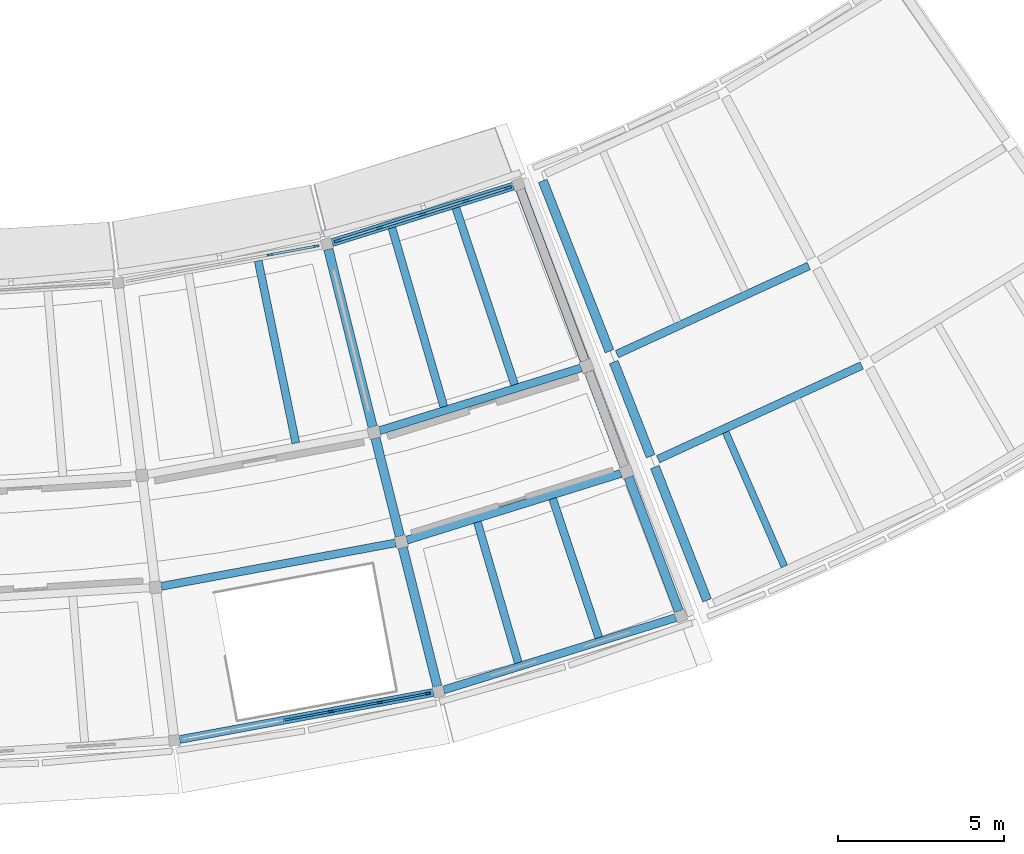
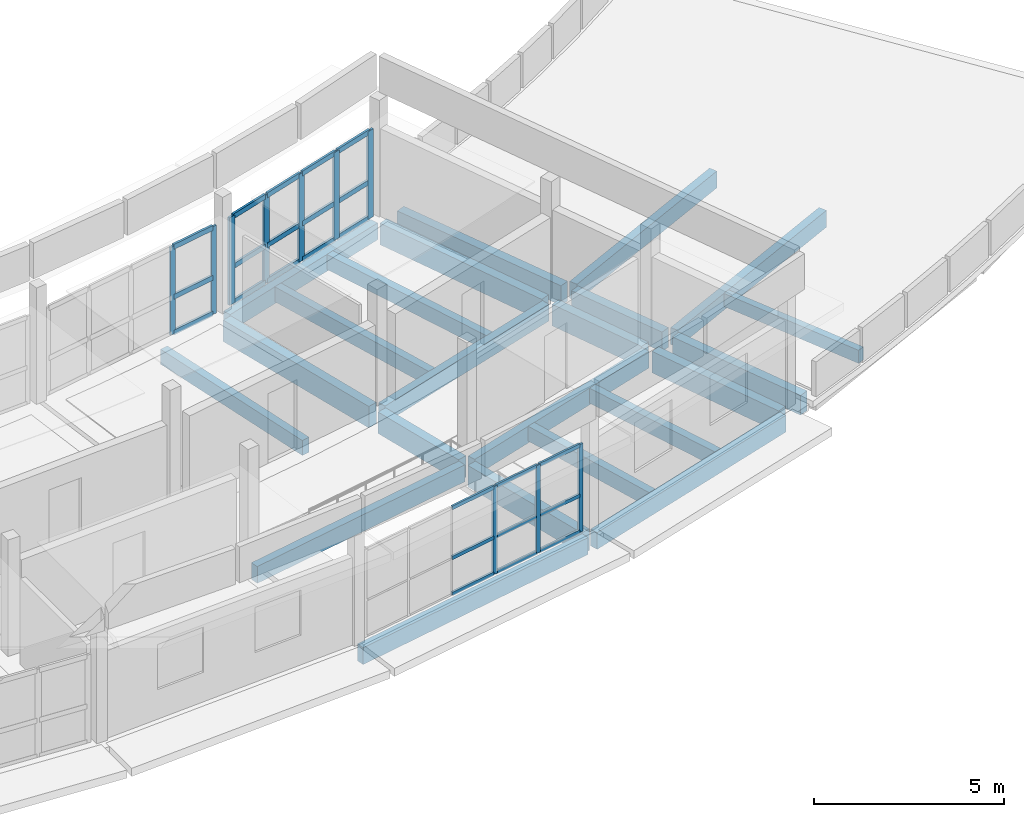
# One storey, part 6 of 12: 34 members, 23 beams, 3 elements without a shape of their own.
"""IFC4 building model written with IfcOpenShell, lengths in metres."""

from ifc_helpers import new_model, si_unit, direction, frame, origin, origin_2d, place, context, subcontext, project, spatial, rectangle, extrude, material, layer, layer_set, material_profile, profile_set, type_object, element, aggregate, save


model = new_model("IFC4")

# Units and contexts
model_context = context("Model", 3, precision=1e-05, world=origin(), true_north=direction((0.0, 1.0)))
body_context = subcontext(model_context, "Body", "Model", "MODEL_VIEW")
ifc_project = project(units=[si_unit("LENGTHUNIT", "METRE"), si_unit("AREAUNIT", "SQUARE_METRE"), si_unit("VOLUMEUNIT", "CUBIC_METRE"), si_unit("PLANEANGLEUNIT", "RADIAN"), si_unit("MASSUNIT", "GRAM", prefix="KILO")], contexts=[model_context])

# Site, building, storey
site_placement = place(None, origin())
site = spatial("IfcSite", under=ifc_project, at=site_placement, CompositionType="ELEMENT")
building_placement = place(site_placement, origin())
building = spatial("IfcBuilding", under=site, at=building_placement, Name="Caldaven Crescent School", CompositionType="ELEMENT")
storey_placement = place(building_placement, frame((0.0, 0.0, 19.3798828125)))
storey = spatial("IfcBuildingStorey", under=building, at=storey_placement, Name="L05", CompositionType="ELEMENT", Elevation=19.3798828125)

# Beams
ifc_material_1 = material(Name="Glulam MLE24h (GL28h)", Category="wood")
ifc_material_profile_1 = material_profile(ifc_material_1, rectangle(XDim=0.239990234375, YDim=0.5400390625, at=origin_2d()), Name="MLE 240x540")
ifc_profile_set_1 = profile_set([ifc_material_profile_1], Name="Glulam MLE24h (GL28h)")
beam_type_1 = type_object("IfcBeamType", Name="BM-GL54", PredefinedType="BEAM", material=ifc_profile_set_1)
beam_1_placement = place(storey_placement, frame((95.69140625, 34.791748046875, -0.47998046875), z_axis=(0.983254046245, 0.182240172692, 0.0), x_axis=(-0.182240172692, 0.983254046245, 0.0)))
element("IfcBeam", 1, at=beam_1_placement, inside=storey, type_object=beam_type_1, Name="BMT-V5-L05-1732", PredefinedType="BEAM", context=body_context, shape_type="SweptSolid", body=[
    extrude(rectangle(XDim=0.239990234375, YDim=0.5400390625, at=origin_2d()), origin(), (0.0, 0.0, 1.0), 7.183349609375),
])
beam_2_placement = place(storey_placement, frame((102.271240234375, 39.48388671875, -0.47998046875), z_axis=(0.954747711713, 0.297416890878, 0.0), x_axis=(-0.297416890878, 0.954747711713, 0.0)))
element("IfcBeam", 2, at=beam_2_placement, inside=storey, type_object=beam_type_1, Name="BMT-V5-L05-1737", PredefinedType="BEAM", context=body_context, shape_type="SweptSolid", body=[
    extrude(rectangle(XDim=0.239990234375, YDim=0.5400390625, at=origin_2d()), origin(), (0.0, 0.0, 1.0), 6.367431640625),
])
beam_3_placement = place(storey_placement, frame((103.09375, 36.184814453125, -0.47998046875), z_axis=(0.954750161187, 0.297409027625, 0.0), x_axis=(-0.297409027625, 0.954750161187, 0.0)))
element("IfcBeam", 3, at=beam_3_placement, inside=storey, type_object=beam_type_1, Name="BMT-V5-L05-1738", PredefinedType="BEAM", context=body_context, shape_type="SweptSolid", body=[
    extrude(rectangle(XDim=0.239990234375, YDim=0.5400390625, at=origin_2d()), origin(), (0.0, 0.0, 1.0), 6.75927734375),
])
beam_4_placement = place(storey_placement, frame((109.426025390625, 41.79052734375, -0.47998046875), z_axis=(0.908536446659, 0.417805606822, 0.0), x_axis=(-0.417805606822, 0.908536446659, 0.0)))
element("IfcBeam", 4, at=beam_4_placement, inside=storey, type_object=beam_type_1, Name="BMT-V4E-L05-1754", PredefinedType="BEAM", context=body_context, shape_type="SweptSolid", body=[
    extrude(rectangle(XDim=0.239990234375, YDim=0.5400390625, at=origin_2d()), origin(), (0.0, 0.0, 1.0), 6.36767578125),
])
beam_5_placement = place(storey_placement, frame((110.666259765625, 38.624755859375, -0.47998046875), z_axis=(0.908529393476, 0.417820943935, 0.0), x_axis=(-0.417820943935, 0.908529393476, 0.0)))
element("IfcBeam", 5, at=beam_5_placement, inside=storey, type_object=beam_type_1, Name="BMT-V4E-L05-1755", PredefinedType="BEAM", context=body_context, shape_type="SweptSolid", body=[
    extrude(rectangle(XDim=0.239990234375, YDim=0.5400390625, at=origin_2d()), origin(), (0.0, 0.0, 1.0), 6.759521484375),
])
ifc_material_profile_2 = material_profile(ifc_material_1, rectangle(XDim=0.280029296875, YDim=0.6298828125, at=origin_2d()), Name="MLE 280x630")
ifc_profile_set_2 = profile_set([ifc_material_profile_2], Name="Glulam MLE24h (GL28h)")
beam_type_2 = type_object("IfcBeamType", Name="BM-GL63", PredefinedType="BEAM", material=ifc_profile_set_2)
beam_6_placement = place(storey_placement, frame((107.19140625, 47.015380859375, -0.52490234375), z_axis=(0.364809913992, -0.931082019294, 0.0), x_axis=(0.931082019294, 0.364809913992, 0.0)))
element("IfcBeam", 6, at=beam_6_placement, inside=storey, type_object=beam_type_2, Name="BMR-V4E-L05-1744", PredefinedType="BEAM", context=body_context, shape_type="SweptSolid", body=[
    extrude(rectangle(XDim=0.280029296875, YDim=0.6298828125, at=origin_2d()), origin(), (0.0, 0.0, 1.0), 5.51513671875),
])
beam_7_placement = place(storey_placement, frame((109.3310546875, 41.554443359375, -0.52490234375), z_axis=(0.364770550299, -0.931097441536, 0.0), x_axis=(0.931097441536, 0.364770550299, 0.0)))
element("IfcBeam", 7, at=beam_7_placement, inside=storey, type_object=beam_type_2, Name="BMR-V4E-L05-1745", PredefinedType="BEAM", context=body_context, shape_type="SweptSolid", body=[
    extrude(rectangle(XDim=0.280029296875, YDim=0.6298828125, at=origin_2d()), origin(), (0.0, 0.0, 1.0), 3.050048828125),
])
beam_8_placement = place(storey_placement, frame((110.5712890625, 38.388671875, -0.52490234375), z_axis=(0.364776926423, -0.931094943574, 0.0), x_axis=(0.931094943574, 0.364776926423, 0.0)))
element("IfcBeam", 8, at=beam_8_placement, inside=storey, type_object=beam_type_2, Name="BMR-V4E-L05-1746", PredefinedType="BEAM", context=body_context, shape_type="SweptSolid", body=[
    extrude(rectangle(XDim=0.280029296875, YDim=0.6298828125, at=origin_2d()), origin(), (0.0, 0.0, 1.0), 4.31494140625),
])
ifc_material_profile_3 = material_profile(ifc_material_1, rectangle(XDim=0.280029296875, YDim=0.68994140625, at=origin_2d()), Name="MLE 280x690")
ifc_profile_set_3 = profile_set([ifc_material_profile_3], Name="Glulam MLE24h (GL28h)")
beam_type_3 = type_object("IfcBeamType", Name="BM-GL69", PredefinedType="BEAM", material=ifc_profile_set_3)
beam_9_placement = place(storey_placement, frame((100.7275390625, 44.95263671875, -0.554931640625), z_axis=(0.241931432995, -0.970293348286, 0.0), x_axis=(0.970293348286, 0.241931432995, 0.0)))
element("IfcBeam", 9, at=beam_9_placement, inside=storey, type_object=beam_type_3, Name="BMR-V5-L05-1696", PredefinedType="BEAM", context=body_context, shape_type="SweptSolid", body=[
    extrude(rectangle(XDim=0.280029296875, YDim=0.68994140625, at=origin_2d()), origin(), (0.0, 0.0, 1.0), 5.514892578125),
])
beam_10_placement = place(storey_placement, frame((102.146484375, 39.261962890625, -0.554931640625), z_axis=(0.241895214255, -0.970302378293, 0.0), x_axis=(0.970302378293, 0.241895214255, 0.0)))
element("IfcBeam", 10, at=beam_10_placement, inside=storey, type_object=beam_type_3, Name="BMR-V5-L05-1697", PredefinedType="BEAM", context=body_context, shape_type="SweptSolid", body=[
    extrude(rectangle(XDim=0.280029296875, YDim=0.68994140625, at=origin_2d()), origin(), (0.0, 0.0, 1.0), 3.050048828125),
])
beam_11_placement = place(storey_placement, frame((102.968994140625, 35.962890625, -0.554931640625), z_axis=(0.241883226039, -0.970305366862, 0.0), x_axis=(0.970305366862, 0.241883226039, 0.0)))
element("IfcBeam", 11, at=beam_11_placement, inside=storey, type_object=beam_type_3, Name="BMR-V5-L05-1698", PredefinedType="BEAM", context=body_context, shape_type="SweptSolid", body=[
    extrude(rectangle(XDim=0.280029296875, YDim=0.68994140625, at=origin_2d()), origin(), (0.0, 0.0, 1.0), 4.31494140625),
])
beam_12_placement = place(storey_placement, frame((106.51513671875, 46.755615234375, -0.554931640625), z_axis=(0.351938342826, -0.936023184995, 0.0), x_axis=(0.936023184995, 0.351938342826, 0.0)))
element("IfcBeam", 12, at=beam_12_placement, inside=storey, type_object=beam_type_3, Name="BMR-V5-L05-1699", PredefinedType="BEAM", context=body_context, shape_type="SweptSolid", body=[
    extrude(rectangle(XDim=0.280029296875, YDim=0.68994140625, at=origin_2d()), origin(), (0.0, 0.0, 1.0), 5.514892578125),
])
beam_13_placement = place(storey_placement, frame((108.5791015625, 41.265869140625, -0.554931640625), z_axis=(0.351974225459, -0.936009692585, 0.0), x_axis=(0.936009692585, 0.351974225459, 0.0)))
element("IfcBeam", 13, at=beam_13_placement, inside=storey, type_object=beam_type_3, Name="BMR-V5-L05-1700", PredefinedType="BEAM", context=body_context, shape_type="SweptSolid", body=[
    extrude(rectangle(XDim=0.280029296875, YDim=0.68994140625, at=origin_2d()), origin(), (0.0, 0.0, 1.0), 3.0498046875),
])
beam_14_placement = place(storey_placement, frame((109.77587890625, 38.08349609375, -0.554931640625), z_axis=(0.351916961601, -0.936031223912, 0.0), x_axis=(0.936031223912, 0.351916961601, 0.0)))
element("IfcBeam", 14, at=beam_14_placement, inside=storey, type_object=beam_type_3, Name="BMR-V5-L05-1701", PredefinedType="BEAM", context=body_context, shape_type="SweptSolid", body=[
    extrude(rectangle(XDim=0.280029296875, YDim=0.68994140625, at=origin_2d()), origin(), (0.0, 0.0, 1.0), 4.315185546875),
])

# Curtain wall, members
ifc_material_2 = material(Name="Anodised aluminium AA 6063-T6 and low-E double glazing", Category="aluminium")
ifc_layer_1 = layer(ifc_material_2, 0.169921875)
ifc_layer_set_1 = layer_set([ifc_layer_1], Name="Anodised aluminium AA 6063-T6 and low-E double glazing")
curtain_wall_type_1 = type_object("IfcCurtainWallType", Name="CW-SYS1", PredefinedType="NOTDEFINED", material=ifc_layer_set_1)
curtain_wall_1_placement = place(storey_placement, origin())
curtain_wall_1 = element("IfcCurtainWall", 15, at=curtain_wall_1_placement, inside=storey, type_object=curtain_wall_type_1, Name="CW-L05-186", PredefinedType="NOTDEFINED")
ifc_material_3 = material(Name="Anodised aluminium AA 6063-T6", Category="aluminium")
ifc_material_profile_4 = material_profile(ifc_material_3, rectangle(XDim=0.06005859375, YDim=0.14990234375, at=origin_2d()), Name="CWM 60x150")
ifc_profile_set_4 = profile_set([ifc_material_profile_4], Name="Anodised aluminium AA 6063-T6")
member_type_1 = type_object("IfcMemberType", Name="CWM-T1", PredefinedType="MULLION", material=ifc_profile_set_4)
member_1_placement = place(storey_placement, frame((100.806396484375, 31.01953125, 0.0), z_axis=(0.0, 0.0, 1.0), x_axis=(-0.182236339268, 0.983254756739, 0.0)))
member_1 = element("IfcMember", 16, at=member_1_placement, type_object=member_type_1, Name="CW1 mullion 4", PredefinedType="MULLION", context=body_context, shape_type="SweptSolid", body=[
    extrude(rectangle(XDim=0.06005859375, YDim=0.14990234375, at=origin_2d()), origin(), (0.0, 0.0, 1.0), 2.820068359375),
])
member_2_placement = place(storey_placement, frame((102.281494140625, 31.292724609375, 0.0), z_axis=(0.0, 0.0, 1.0), x_axis=(-0.182236339268, 0.983254756739, 0.0)))
member_2 = element("IfcMember", 17, at=member_2_placement, type_object=member_type_1, Name="CW1 mullion 5", PredefinedType="MULLION", context=body_context, shape_type="SweptSolid", body=[
    extrude(rectangle(XDim=0.06005859375, YDim=0.14990234375, at=origin_2d()), origin(), (0.0, 0.0, 1.0), 2.820068359375),
])
member_3_placement = place(storey_placement, frame((103.72705078125, 31.560791015625, 0.0), z_axis=(0.0, 0.0, 1.0), x_axis=(-0.182236339268, 0.983254756739, 0.0)))
member_3 = element("IfcMember", 18, at=member_3_placement, type_object=member_type_1, Name="CW1 mullion 6", PredefinedType="MULLION", context=body_context, shape_type="SweptSolid", body=[
    extrude(rectangle(XDim=0.06005859375, YDim=0.14990234375, at=origin_2d()), origin(), (0.0, 0.0, 1.0), 2.820068359375),
])

ifc_layer_2 = layer(ifc_material_2, 0.2099609375)
ifc_layer_set_2 = layer_set([ifc_layer_2], Name="Anodised aluminium AA 6063-T6 and low-E double glazing")
curtain_wall_type_2 = type_object("IfcCurtainWallType", Name="CW-SYS3", PredefinedType="NOTDEFINED", material=ifc_layer_set_2)
curtain_wall_2_placement = place(storey_placement, origin())
curtain_wall_2 = element("IfcCurtainWall", 19, at=curtain_wall_2_placement, inside=storey, type_object=curtain_wall_type_2, Name="CW-L05-185", PredefinedType="NOTDEFINED")
ifc_material_profile_5 = material_profile(ifc_material_3, rectangle(XDim=0.06494140625, YDim=0.179931640625, at=origin_2d()), Name="CWM 65x180")
ifc_profile_set_5 = profile_set([ifc_material_profile_5], Name="Anodised aluminium AA 6063-T6")
member_type_2 = type_object("IfcMemberType", Name="CWM-T2", PredefinedType="MULLION", material=ifc_profile_set_5)
member_4_placement = place(storey_placement, frame((98.967041015625, 44.788818359375, 0.0), z_axis=(0.0, 0.0, 1.0), x_axis=(-0.182236405836, 0.983254744401, 0.0)))
member_4 = element("IfcMember", 20, at=member_4_placement, type_object=member_type_2, Name="CW3 mullion 4", PredefinedType="MULLION", context=body_context, shape_type="SweptSolid", body=[
    extrude(rectangle(XDim=0.06494140625, YDim=0.179931640625, at=origin_2d()), origin(), (0.0, 0.0, 1.0), 2.820068359375),
])
member_5_placement = place(storey_placement, frame((100.36181640625, 45.04736328125, 0.0), z_axis=(0.0, 0.0, 1.0), x_axis=(-0.182236405836, 0.983254744401, 0.0)))
member_5 = element("IfcMember", 21, at=member_5_placement, type_object=member_type_2, Name="CW3 mullion 5", PredefinedType="MULLION", context=body_context, shape_type="SweptSolid", body=[
    extrude(rectangle(XDim=0.06494140625, YDim=0.179931640625, at=origin_2d()), origin(), (0.0, 0.0, 1.0), 2.820068359375),
])

ifc_layer_3 = layer(ifc_material_2, 0.22998046875)
ifc_layer_set_3 = layer_set([ifc_layer_3], Name="Anodised aluminium AA 6063-T6 and low-E double glazing")
curtain_wall_type_3 = type_object("IfcCurtainWallType", Name="CW-SYS4", PredefinedType="NOTDEFINED", material=ifc_layer_set_3)
curtain_wall_3_placement = place(storey_placement, origin())
curtain_wall_3 = element("IfcCurtainWall", 22, at=curtain_wall_3_placement, inside=storey, type_object=curtain_wall_type_3, Name="CW-L05-187", PredefinedType="NOTDEFINED")
ifc_material_profile_6 = material_profile(ifc_material_3, rectangle(XDim=0.070068359375, YDim=0.2099609375, at=origin_2d()), Name="CWM 70x210")
ifc_profile_set_6 = profile_set([ifc_material_profile_6], Name="Anodised aluminium AA 6063-T6")
member_type_3 = type_object("IfcMemberType", Name="CWM-T3", PredefinedType="MULLION", material=ifc_profile_set_6)
member_6_placement = place(storey_placement, frame((101.008544921875, 45.20751953125, 0.0), z_axis=(0.0, 0.0, 1.0), x_axis=(-0.297419758694, 0.954746818344, 0.0)))
member_6 = element("IfcMember", 23, at=member_6_placement, type_object=member_type_3, Name="CW4 mullion 1", PredefinedType="MULLION", context=body_context, shape_type="SweptSolid", body=[
    extrude(rectangle(XDim=0.070068359375, YDim=0.2099609375, at=origin_2d()), origin(), (0.0, 0.0, 1.0), 2.820068359375),
])
member_7_placement = place(storey_placement, frame((102.2744140625, 45.60205078125, 0.0), z_axis=(0.0, 0.0, 1.0), x_axis=(-0.297419758694, 0.954746818344, 0.0)))
member_7 = element("IfcMember", 24, at=member_7_placement, type_object=member_type_3, Name="CW4 mullion 2", PredefinedType="MULLION", context=body_context, shape_type="SweptSolid", body=[
    extrude(rectangle(XDim=0.070068359375, YDim=0.2099609375, at=origin_2d()), origin(), (0.0, 0.0, 1.0), 2.820068359375),
])
member_8_placement = place(storey_placement, frame((103.57373046875, 46.0068359375, 0.0), z_axis=(0.0, 0.0, 1.0), x_axis=(-0.297419758694, 0.954746818344, 0.0)))
member_8 = element("IfcMember", 25, at=member_8_placement, type_object=member_type_3, Name="CW4 mullion 3", PredefinedType="MULLION", context=body_context, shape_type="SweptSolid", body=[
    extrude(rectangle(XDim=0.070068359375, YDim=0.2099609375, at=origin_2d()), origin(), (0.0, 0.0, 1.0), 2.820068359375),
])
member_9_placement = place(storey_placement, frame((104.873046875, 46.411376953125, 0.0), z_axis=(0.0, 0.0, 1.0), x_axis=(-0.297419758694, 0.954746818344, 0.0)))
member_9 = element("IfcMember", 26, at=member_9_placement, type_object=member_type_3, Name="CW4 mullion 4", PredefinedType="MULLION", context=body_context, shape_type="SweptSolid", body=[
    extrude(rectangle(XDim=0.070068359375, YDim=0.2099609375, at=origin_2d()), origin(), (0.0, 0.0, 1.0), 2.820068359375),
])
member_10_placement = place(storey_placement, frame((106.138916015625, 46.805908203125, 0.0), z_axis=(0.0, 0.0, 1.0), x_axis=(-0.297419758694, 0.954746818344, 0.0)))
member_10 = element("IfcMember", 27, at=member_10_placement, type_object=member_type_3, Name="CW4 mullion 5", PredefinedType="MULLION", context=body_context, shape_type="SweptSolid", body=[
    extrude(rectangle(XDim=0.070068359375, YDim=0.2099609375, at=origin_2d()), origin(), (0.0, 0.0, 1.0), 2.820068359375),
])

# Member
ifc_material_profile_7 = material_profile(ifc_material_3, rectangle(XDim=0.06005859375, YDim=0.1201171875, at=origin_2d()), Name="CWT 60x120")
ifc_profile_set_7 = profile_set([ifc_material_profile_7], Name="Anodised aluminium AA 6063-T6")
member_type_4 = type_object("IfcMemberType", Name="CWT-T1", PredefinedType="USERDEFINED", material=ifc_profile_set_7)
member_11_placement = place(storey_placement, frame((99.36083984375, 30.75146484375, 0.030029296875), z_axis=(0.983253888741, 0.182241022482, 0.0), x_axis=(-0.182241022482, 0.983253888741, 0.0)))
member_11 = element("IfcMember", 28, at=member_11_placement, type_object=member_type_4, Name="CW1 transom 3.1", ObjectType="TRANSOM", PredefinedType="USERDEFINED", context=body_context, shape_type="SweptSolid", body=[
    extrude(rectangle(XDim=0.06005859375, YDim=0.1201171875, at=origin_2d()), origin(), (0.0, 0.0, 1.0), 1.440185546875),
])

member_12_placement = place(storey_placement, frame((99.36083984375, 30.75146484375, 1.18408203125), z_axis=(0.983253888741, 0.182241022482, 0.0), x_axis=(-0.182241022482, 0.983253888741, 0.0)))
member_12 = element("IfcMember", 29, at=member_12_placement, type_object=member_type_4, Name="CW1 transom 3.2", ObjectType="TRANSOM", PredefinedType="USERDEFINED", context=body_context, shape_type="SweptSolid", body=[
    extrude(rectangle(XDim=0.06005859375, YDim=0.1201171875, at=origin_2d()), origin(), (0.0, 0.0, 1.0), 1.440185546875),
])

member_13_placement = place(storey_placement, frame((99.36083984375, 30.75146484375, 2.7900390625), z_axis=(0.983253888741, 0.182241022482, 0.0), x_axis=(-0.182241022482, 0.983253888741, 0.0)))
member_13 = element("IfcMember", 30, at=member_13_placement, type_object=member_type_4, Name="CW1 transom 3.3", ObjectType="TRANSOM", PredefinedType="USERDEFINED", context=body_context, shape_type="SweptSolid", body=[
    extrude(rectangle(XDim=0.06005859375, YDim=0.1201171875, at=origin_2d()), origin(), (0.0, 0.0, 1.0), 1.440185546875),
])

member_14_placement = place(storey_placement, frame((100.8359375, 31.02490234375, 0.030029296875), z_axis=(0.983253888741, 0.182241022482, 0.0), x_axis=(-0.182241022482, 0.983253888741, 0.0)))
member_14 = element("IfcMember", 31, at=member_14_placement, type_object=member_type_4, Name="CW1 transom 4.1", ObjectType="TRANSOM", PredefinedType="USERDEFINED", context=body_context, shape_type="SweptSolid", body=[
    extrude(rectangle(XDim=0.06005859375, YDim=0.1201171875, at=origin_2d()), origin(), (0.0, 0.0, 1.0), 1.440185546875),
])

member_15_placement = place(storey_placement, frame((100.8359375, 31.02490234375, 1.18408203125), z_axis=(0.983253888741, 0.182241022482, 0.0), x_axis=(-0.182241022482, 0.983253888741, 0.0)))
member_15 = element("IfcMember", 32, at=member_15_placement, type_object=member_type_4, Name="CW1 transom 4.2", ObjectType="TRANSOM", PredefinedType="USERDEFINED", context=body_context, shape_type="SweptSolid", body=[
    extrude(rectangle(XDim=0.06005859375, YDim=0.1201171875, at=origin_2d()), origin(), (0.0, 0.0, 1.0), 1.440185546875),
])

member_16_placement = place(storey_placement, frame((100.8359375, 31.02490234375, 2.7900390625), z_axis=(0.983253888741, 0.182241022482, 0.0), x_axis=(-0.182241022482, 0.983253888741, 0.0)))
member_16 = element("IfcMember", 33, at=member_16_placement, type_object=member_type_4, Name="CW1 transom 4.3", ObjectType="TRANSOM", PredefinedType="USERDEFINED", context=body_context, shape_type="SweptSolid", body=[
    extrude(rectangle(XDim=0.06005859375, YDim=0.1201171875, at=origin_2d()), origin(), (0.0, 0.0, 1.0), 1.440185546875),
])

member_17_placement = place(storey_placement, frame((102.31103515625, 31.29833984375, 0.030029296875), z_axis=(0.983271670011, 0.182145060196, 0.0), x_axis=(-0.182145060196, 0.983271670011, 0.0)))
member_17 = element("IfcMember", 34, at=member_17_placement, type_object=member_type_4, Name="CW1 transom 5.1", ObjectType="TRANSOM", PredefinedType="USERDEFINED", context=body_context, shape_type="SweptSolid", body=[
    extrude(rectangle(XDim=0.06005859375, YDim=0.1201171875, at=origin_2d()), origin(), (0.0, 0.0, 1.0), 1.41015625),
])

member_18_placement = place(storey_placement, frame((102.31103515625, 31.29833984375, 1.18408203125), z_axis=(0.983271670011, 0.182145060196, 0.0), x_axis=(-0.182145060196, 0.983271670011, 0.0)))
member_18 = element("IfcMember", 35, at=member_18_placement, type_object=member_type_4, Name="CW1 transom 5.2", ObjectType="TRANSOM", PredefinedType="USERDEFINED", context=body_context, shape_type="SweptSolid", body=[
    extrude(rectangle(XDim=0.06005859375, YDim=0.1201171875, at=origin_2d()), origin(), (0.0, 0.0, 1.0), 1.41015625),
])

member_19_placement = place(storey_placement, frame((102.31103515625, 31.29833984375, 2.7900390625), z_axis=(0.983271670011, 0.182145060196, 0.0), x_axis=(-0.182145060196, 0.983271670011, 0.0)))
member_19 = element("IfcMember", 36, at=member_19_placement, type_object=member_type_4, Name="CW1 transom 5.3", ObjectType="TRANSOM", PredefinedType="USERDEFINED", context=body_context, shape_type="SweptSolid", body=[
    extrude(rectangle(XDim=0.06005859375, YDim=0.1201171875, at=origin_2d()), origin(), (0.0, 0.0, 1.0), 1.41015625),
])

aggregate(curtain_wall_1, [member_1, member_2, member_3, member_11, member_12, member_13, member_14, member_15, member_16, member_17, member_18, member_19])

ifc_material_profile_8 = material_profile(ifc_material_3, rectangle(XDim=0.070068359375, YDim=0.159912109375, at=origin_2d()), Name="CWT 70x160")
ifc_profile_set_8 = profile_set([ifc_material_profile_8], Name="Anodised aluminium AA 6063-T6")
member_type_5 = type_object("IfcMemberType", Name="CWT-T3", PredefinedType="USERDEFINED", material=ifc_profile_set_8)
member_20_placement = place(storey_placement, frame((98.9990234375, 44.794921875, 0.03515625), z_axis=(0.983264057672, 0.182186149009, 0.0), x_axis=(-0.182186149009, 0.983264057672, 0.0)))
member_20 = element("IfcMember", 37, at=member_20_placement, type_object=member_type_5, Name="CW3 transom 4.1", ObjectType="TRANSOM", PredefinedType="USERDEFINED", context=body_context, shape_type="SweptSolid", body=[
    extrude(rectangle(XDim=0.070068359375, YDim=0.159912109375, at=origin_2d()), origin(), (0.0, 0.0, 1.0), 1.353515625),
])

member_21_placement = place(storey_placement, frame((98.9990234375, 44.794921875, 1.18408203125), z_axis=(0.983264057672, 0.182186149009, 0.0), x_axis=(-0.182186149009, 0.983264057672, 0.0)))
member_21 = element("IfcMember", 38, at=member_21_placement, type_object=member_type_5, Name="CW3 transom 4.2", ObjectType="TRANSOM", PredefinedType="USERDEFINED", context=body_context, shape_type="SweptSolid", body=[
    extrude(rectangle(XDim=0.070068359375, YDim=0.159912109375, at=origin_2d()), origin(), (0.0, 0.0, 1.0), 1.353515625),
])

member_22_placement = place(storey_placement, frame((98.9990234375, 44.794921875, 2.78515625), z_axis=(0.983264057672, 0.182186149009, 0.0), x_axis=(-0.182186149009, 0.983264057672, 0.0)))
member_22 = element("IfcMember", 39, at=member_22_placement, type_object=member_type_5, Name="CW3 transom 4.3", ObjectType="TRANSOM", PredefinedType="USERDEFINED", context=body_context, shape_type="SweptSolid", body=[
    extrude(rectangle(XDim=0.070068359375, YDim=0.159912109375, at=origin_2d()), origin(), (0.0, 0.0, 1.0), 1.353515625),
])

aggregate(curtain_wall_2, [member_4, member_5, member_20, member_21, member_22])

member_23_placement = place(storey_placement, frame((101.0419921875, 45.218017578125, 0.03515625), z_axis=(0.954756253786, 0.297389468301, 0.0), x_axis=(-0.297389468301, 0.954756253786, 0.0)))
member_23 = element("IfcMember", 40, at=member_23_placement, type_object=member_type_5, Name="CW4 transom 1.1", ObjectType="TRANSOM", PredefinedType="USERDEFINED", context=body_context, shape_type="SweptSolid", body=[
    extrude(rectangle(XDim=0.070068359375, YDim=0.159912109375, at=origin_2d()), origin(), (0.0, 0.0, 1.0), 1.256103515625),
])

member_24_placement = place(storey_placement, frame((101.0419921875, 45.218017578125, 1.18408203125), z_axis=(0.954756253786, 0.297389468301, 0.0), x_axis=(-0.297389468301, 0.954756253786, 0.0)))
member_24 = element("IfcMember", 41, at=member_24_placement, type_object=member_type_5, Name="CW4 transom 1.2", ObjectType="TRANSOM", PredefinedType="USERDEFINED", context=body_context, shape_type="SweptSolid", body=[
    extrude(rectangle(XDim=0.070068359375, YDim=0.159912109375, at=origin_2d()), origin(), (0.0, 0.0, 1.0), 1.256103515625),
])

member_25_placement = place(storey_placement, frame((101.0419921875, 45.218017578125, 2.78515625), z_axis=(0.954756253786, 0.297389468301, 0.0), x_axis=(-0.297389468301, 0.954756253786, 0.0)))
member_25 = element("IfcMember", 42, at=member_25_placement, type_object=member_type_5, Name="CW4 transom 1.3", ObjectType="TRANSOM", PredefinedType="USERDEFINED", context=body_context, shape_type="SweptSolid", body=[
    extrude(rectangle(XDim=0.070068359375, YDim=0.159912109375, at=origin_2d()), origin(), (0.0, 0.0, 1.0), 1.256103515625),
])

member_26_placement = place(storey_placement, frame((102.307861328125, 45.6123046875, 0.03515625), z_axis=(0.954721963294, 0.297499534125, 0.0), x_axis=(-0.297499534125, 0.954721963294, 0.0)))
member_26 = element("IfcMember", 43, at=member_26_placement, type_object=member_type_5, Name="CW4 transom 2.1", ObjectType="TRANSOM", PredefinedType="USERDEFINED", context=body_context, shape_type="SweptSolid", body=[
    extrude(rectangle(XDim=0.070068359375, YDim=0.159912109375, at=origin_2d()), origin(), (0.0, 0.0, 1.0), 1.290771484375),
])

member_27_placement = place(storey_placement, frame((102.307861328125, 45.6123046875, 1.18408203125), z_axis=(0.954721963294, 0.297499534125, 0.0), x_axis=(-0.297499534125, 0.954721963294, 0.0)))
member_27 = element("IfcMember", 44, at=member_27_placement, type_object=member_type_5, Name="CW4 transom 2.2", ObjectType="TRANSOM", PredefinedType="USERDEFINED", context=body_context, shape_type="SweptSolid", body=[
    extrude(rectangle(XDim=0.070068359375, YDim=0.159912109375, at=origin_2d()), origin(), (0.0, 0.0, 1.0), 1.290771484375),
])

member_28_placement = place(storey_placement, frame((102.307861328125, 45.6123046875, 2.78515625), z_axis=(0.954721963294, 0.297499534125, 0.0), x_axis=(-0.297499534125, 0.954721963294, 0.0)))
member_28 = element("IfcMember", 45, at=member_28_placement, type_object=member_type_5, Name="CW4 transom 2.3", ObjectType="TRANSOM", PredefinedType="USERDEFINED", context=body_context, shape_type="SweptSolid", body=[
    extrude(rectangle(XDim=0.070068359375, YDim=0.159912109375, at=origin_2d()), origin(), (0.0, 0.0, 1.0), 1.290771484375),
])

member_29_placement = place(storey_placement, frame((103.607177734375, 46.01708984375, 0.03515625), z_axis=(0.954721963294, 0.297499534125, 0.0), x_axis=(-0.297499534125, 0.954721963294, 0.0)))
member_29 = element("IfcMember", 46, at=member_29_placement, type_object=member_type_5, Name="CW4 transom 3.1", ObjectType="TRANSOM", PredefinedType="USERDEFINED", context=body_context, shape_type="SweptSolid", body=[
    extrude(rectangle(XDim=0.070068359375, YDim=0.159912109375, at=origin_2d()), origin(), (0.0, 0.0, 1.0), 1.290771484375),
])

member_30_placement = place(storey_placement, frame((103.607177734375, 46.01708984375, 1.18408203125), z_axis=(0.954721963294, 0.297499534125, 0.0), x_axis=(-0.297499534125, 0.954721963294, 0.0)))
member_30 = element("IfcMember", 47, at=member_30_placement, type_object=member_type_5, Name="CW4 transom 3.2", ObjectType="TRANSOM", PredefinedType="USERDEFINED", context=body_context, shape_type="SweptSolid", body=[
    extrude(rectangle(XDim=0.070068359375, YDim=0.159912109375, at=origin_2d()), origin(), (0.0, 0.0, 1.0), 1.290771484375),
])

member_31_placement = place(storey_placement, frame((103.607177734375, 46.01708984375, 2.78515625), z_axis=(0.954721963294, 0.297499534125, 0.0), x_axis=(-0.297499534125, 0.954721963294, 0.0)))
member_31 = element("IfcMember", 48, at=member_31_placement, type_object=member_type_5, Name="CW4 transom 3.3", ObjectType="TRANSOM", PredefinedType="USERDEFINED", context=body_context, shape_type="SweptSolid", body=[
    extrude(rectangle(XDim=0.070068359375, YDim=0.159912109375, at=origin_2d()), origin(), (0.0, 0.0, 1.0), 1.290771484375),
])

member_32_placement = place(storey_placement, frame((104.906494140625, 46.421875, 0.03515625), z_axis=(0.954739058626, 0.297444667012, 0.0), x_axis=(-0.297444667012, 0.954739058626, 0.0)))
member_32 = element("IfcMember", 49, at=member_32_placement, type_object=member_type_5, Name="CW4 transom 4.1", ObjectType="TRANSOM", PredefinedType="USERDEFINED", context=body_context, shape_type="SweptSolid", body=[
    extrude(rectangle(XDim=0.070068359375, YDim=0.159912109375, at=origin_2d()), origin(), (0.0, 0.0, 1.0), 1.255859375),
])

member_33_placement = place(storey_placement, frame((104.906494140625, 46.421875, 1.18408203125), z_axis=(0.954739058626, 0.297444667012, 0.0), x_axis=(-0.297444667012, 0.954739058626, 0.0)))
member_33 = element("IfcMember", 50, at=member_33_placement, type_object=member_type_5, Name="CW4 transom 4.2", ObjectType="TRANSOM", PredefinedType="USERDEFINED", context=body_context, shape_type="SweptSolid", body=[
    extrude(rectangle(XDim=0.070068359375, YDim=0.159912109375, at=origin_2d()), origin(), (0.0, 0.0, 1.0), 1.255859375),
])

member_34_placement = place(storey_placement, frame((104.906494140625, 46.421875, 2.78515625), z_axis=(0.954739058626, 0.297444667012, 0.0), x_axis=(-0.297444667012, 0.954739058626, 0.0)))
member_34 = element("IfcMember", 51, at=member_34_placement, type_object=member_type_5, Name="CW4 transom 4.3", ObjectType="TRANSOM", PredefinedType="USERDEFINED", context=body_context, shape_type="SweptSolid", body=[
    extrude(rectangle(XDim=0.070068359375, YDim=0.159912109375, at=origin_2d()), origin(), (0.0, 0.0, 1.0), 1.255859375),
])

aggregate(curtain_wall_3, [member_6, member_7, member_8, member_9, member_10, member_23, member_24, member_25, member_26, member_27, member_28, member_29, member_30, member_31, member_32, member_33, member_34])

# Beams
ifc_material_profile_9 = material_profile(ifc_material_1, rectangle(XDim=0.2099609375, YDim=0.419921875, at=origin_2d()), Name="MLE 210x420")
ifc_profile_set_9 = profile_set([ifc_material_profile_9], Name="Glulam MLE24h (GL28h)")
beam_type_4 = type_object("IfcBeamType", Name="JS-GL42", PredefinedType="JOIST", material=ifc_profile_set_9)
beam_15_placement = place(storey_placement, frame((112.706298828125, 39.4365234375, -0.419921875), z_axis=(0.400299300813, -0.91638445522, 0.0), x_axis=(0.91638445522, 0.400299300813, 0.0)))
element("IfcBeam", 52, at=beam_15_placement, inside=storey, type_object=beam_type_4, Name="JSR-V4E-L05-1758", PredefinedType="JOIST", context=body_context, shape_type="SweptSolid", body=[
    extrude(rectangle(XDim=0.2099609375, YDim=0.419921875, at=origin_2d()), origin(), (0.0, 0.0, 1.0), 4.4130859375),
])
ifc_material_profile_10 = material_profile(ifc_material_1, rectangle(XDim=0.239990234375, YDim=0.47998046875, at=origin_2d()), Name="MLE 240x480")
ifc_profile_set_10 = profile_set([ifc_material_profile_10], Name="Glulam MLE24h (GL28h)")
beam_type_5 = type_object("IfcBeamType", Name="JS-GL48", PredefinedType="JOIST", material=ifc_profile_set_10)
beam_16_placement = place(storey_placement, frame((98.613037109375, 44.6064453125, -0.449951171875), z_axis=(0.202263118958, -0.979331216039, 0.0), x_axis=(0.979331216039, 0.202263118958, 0.0)))
element("IfcBeam", 53, at=beam_16_placement, inside=storey, type_object=beam_type_5, Name="JSR-V5-L05-1735", PredefinedType="JOIST", context=body_context, shape_type="SweptSolid", body=[
    extrude(rectangle(XDim=0.239990234375, YDim=0.47998046875, at=origin_2d()), origin(), (0.0, 0.0, 1.0), 5.6103515625),
])
beam_17_placement = place(storey_placement, frame((102.644287109375, 45.5966796875, -0.449951171875), z_axis=(0.278982349026, -0.960296229781, 0.0), x_axis=(0.960296229781, 0.278982349026, 0.0)))
element("IfcBeam", 54, at=beam_17_placement, inside=storey, type_object=beam_type_5, Name="JSR-V5-L05-1740", PredefinedType="JOIST", context=body_context, shape_type="SweptSolid", body=[
    extrude(rectangle(XDim=0.239990234375, YDim=0.47998046875, at=origin_2d()), origin(), (0.0, 0.0, 1.0), 5.611328125),
])
beam_18_placement = place(storey_placement, frame((105.22119140625, 36.72705078125, -0.449951171875), z_axis=(0.278992882483, -0.96029316957, 0.0), x_axis=(0.96029316957, 0.278992882483, 0.0)))
element("IfcBeam", 55, at=beam_18_placement, inside=storey, type_object=beam_type_5, Name="JSR-V5-L05-1741", PredefinedType="JOIST", context=body_context, shape_type="SweptSolid", body=[
    extrude(rectangle(XDim=0.239990234375, YDim=0.47998046875, at=origin_2d()), origin(), (0.0, 0.0, 1.0), 4.4130859375),
])
beam_19_placement = place(storey_placement, frame((104.57177734375, 46.197265625, -0.449951171875), z_axis=(0.315731740735, -0.948848495753, 0.0), x_axis=(0.948848495753, 0.315731740735, 0.0)))
element("IfcBeam", 56, at=beam_19_placement, inside=storey, type_object=beam_type_5, Name="JSR-V5-L05-1742", PredefinedType="JOIST", context=body_context, shape_type="SweptSolid", body=[
    extrude(rectangle(XDim=0.239990234375, YDim=0.47998046875, at=origin_2d()), origin(), (0.0, 0.0, 1.0), 5.611572265625),
])
beam_20_placement = place(storey_placement, frame((107.488037109375, 37.433349609375, -0.449951171875), z_axis=(0.315713240256, -0.948854651634, 0.0), x_axis=(0.948854651634, 0.315713240256, 0.0)))
element("IfcBeam", 57, at=beam_20_placement, inside=storey, type_object=beam_type_5, Name="JSR-V5-L05-1743", PredefinedType="JOIST", context=body_context, shape_type="SweptSolid", body=[
    extrude(rectangle(XDim=0.239990234375, YDim=0.47998046875, at=origin_2d()), origin(), (0.0, 0.0, 1.0), 4.413330078125),
])
ifc_material_profile_11 = material_profile(ifc_material_1, rectangle(XDim=0.239990234375, YDim=0.5400390625, at=origin_2d()), Name="MLE 240x540")
ifc_profile_set_11 = profile_set([ifc_material_profile_11], Name="Glulam MLE24h (GL28h)")
beam_type_6 = type_object("IfcBeamType", Name="SP-GL54", PredefinedType="SPANDREL", material=ifc_profile_set_11)
beam_21_placement = place(storey_placement, frame((96.243408203125, 30.173828125, -0.47998046875), z_axis=(0.983255778914, 0.182230824045, 0.0), x_axis=(-0.182230824045, 0.983255778914, 0.0)))
element("IfcBeam", 58, at=beam_21_placement, inside=storey, type_object=beam_type_6, Name="BMT-V5-L05-1733", PredefinedType="SPANDREL", context=body_context, shape_type="SweptSolid", body=[
    extrude(rectangle(XDim=0.239990234375, YDim=0.5400390625, at=origin_2d()), origin(), (0.0, 0.0, 1.0), 7.78125),
])
beam_22_placement = place(storey_placement, frame((100.841552734375, 45.155517578125, -0.47998046875), z_axis=(0.954742972951, 0.297432102506, 0.0), x_axis=(-0.297432102506, 0.954742972951, 0.0)))
element("IfcBeam", 59, at=beam_22_placement, inside=storey, type_object=beam_type_6, Name="BMT-V5-L05-1736", PredefinedType="SPANDREL", context=body_context, shape_type="SweptSolid", body=[
    extrude(rectangle(XDim=0.239990234375, YDim=0.5400390625, at=origin_2d()), origin(), (0.0, 0.0, 1.0), 5.7236328125),
])
beam_23_placement = place(storey_placement, frame((104.204345703125, 31.66845703125, -0.47998046875), z_axis=(0.954744100243, 0.297428483927, 0.0), x_axis=(-0.297428483927, 0.954744100243, 0.0)))
element("IfcBeam", 60, at=beam_23_placement, inside=storey, type_object=beam_type_6, Name="BMT-V5-L05-1739", PredefinedType="SPANDREL", context=body_context, shape_type="SweptSolid", body=[
    extrude(rectangle(XDim=0.239990234375, YDim=0.5400390625, at=origin_2d()), origin(), (0.0, 0.0, 1.0), 7.3251953125),
])

save(model, "model.ifc")
